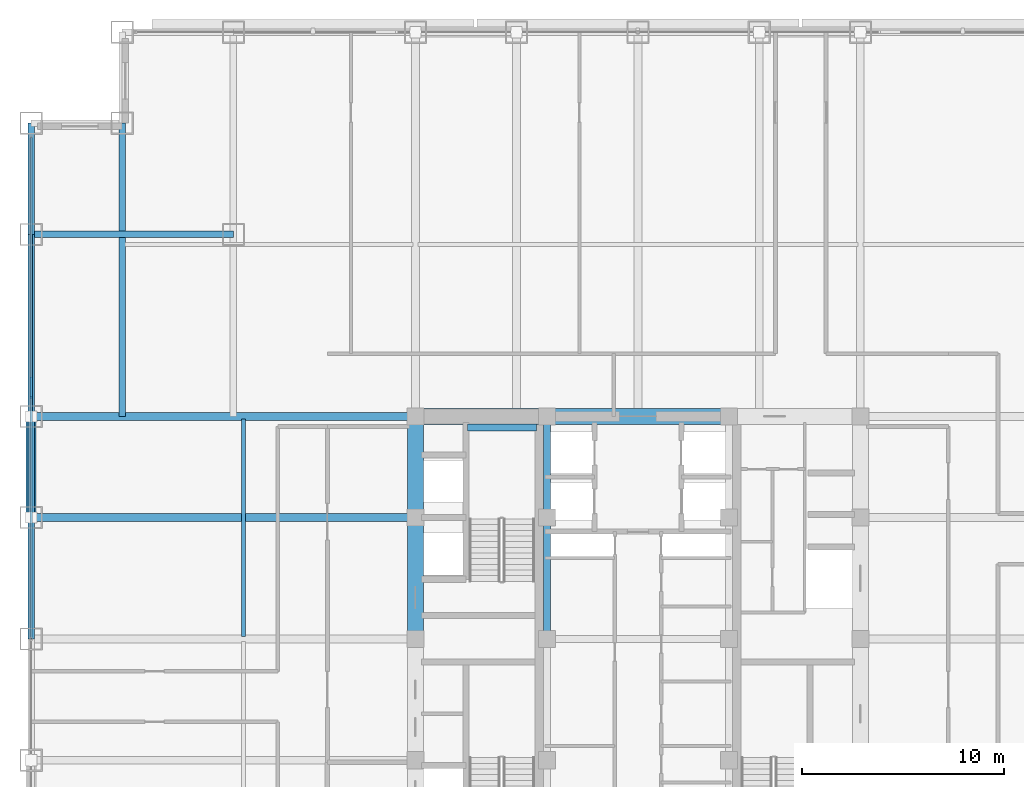
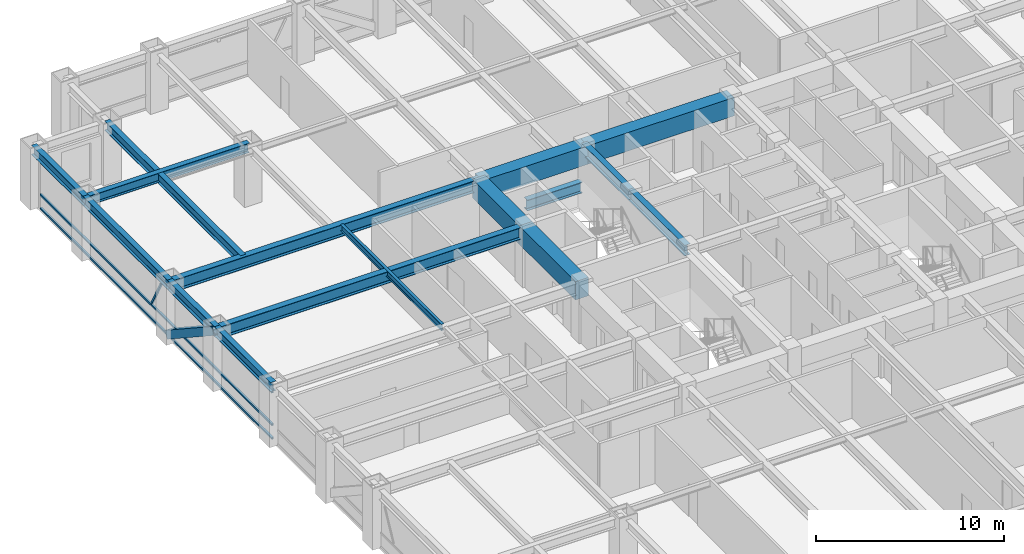
# One storey, part 11 of 28: 16 beams, 5 members, 1 element without a shape of its own.
"""IFC4 building model written with IfcOpenShell, lengths in metres."""

from ifc_helpers import new_model, si_unit, direction, frame, origin, origin_2d, place, context, subcontext, project, spatial, rectangle, hollow_rectangle, i_section, extrude, source, transform, mapped, material, material_profile, profile_set, type_object, element, aggregate, save


model = new_model("IFC4")

# Units and contexts
model_context = context("Model", 3, precision=1e-05, world=origin(), true_north=direction((0.0, 1.0)))
body_context = subcontext(model_context, "Body", "Model", "MODEL_VIEW")
ifc_project = project(units=[si_unit("LENGTHUNIT", "METRE"), si_unit("AREAUNIT", "SQUARE_METRE"), si_unit("VOLUMEUNIT", "CUBIC_METRE"), si_unit("PLANEANGLEUNIT", "RADIAN"), si_unit("MASSUNIT", "GRAM", prefix="KILO")], contexts=[model_context])

# Site, building, storey
site_placement = place(None, origin())
site = spatial("IfcSite", under=ifc_project, at=site_placement, CompositionType="ELEMENT")
building_placement = place(site_placement, origin())
building = spatial("IfcBuilding", under=site, at=building_placement, Name="Khorayat Bourse Tower", CompositionType="ELEMENT")
storey_placement = place(building_placement, frame((0.0, 0.0, 187.10009765625)))
storey = spatial("IfcBuildingStorey", under=building, at=storey_placement, Name="L43", CompositionType="ELEMENT", Elevation=187.10009765625)

# Beams
ifc_material_1 = material(Name="Concrete C72/90", Category="concrete")
ifc_material_profile_1 = material_profile(ifc_material_1, rectangle(XDim=0.800048828125, YDim=1.199951171875, at=origin_2d()), Name="RC 800x1200")
ifc_profile_set_1 = profile_set([ifc_material_profile_1], Name="Concrete C72/90")
beam_type_1 = type_object("IfcBeamType", Name="BM-COUP-1200", PredefinedType="BEAM", material=ifc_profile_set_1)
shared_shape_1 = source(origin(), body_context, "Body", "SweptSolid", [
    extrude(rectangle(XDim=0.800048828125, YDim=1.199951171875, at=origin_2d()), origin(), (0.0, 0.0, 1.0), 5.0),
])
beam_1_placement = place(storey_placement, frame((-11.0, 6.0, 3.179931640625), z_axis=(0.0, 1.0, 0.0), x_axis=(-1.0, 0.0, 0.0)))
element("IfcBeam", 1, at=beam_1_placement, inside=storey, type_object=beam_type_1, Name="L43 BM-COUP-1200 BM-L43-CRX-04", PredefinedType="BEAM", context=body_context, shape_type="MappedRepresentation", body=[
    mapped(shared_shape_1, transform((0.0, 0.0, 0.0), scale=1.0)),
])
shared_shape_2 = source(origin(), body_context, "Body", "SweptSolid", [
    extrude(rectangle(XDim=0.800048828125, YDim=1.199951171875, at=origin_2d()), origin(), (0.0, 0.0, 1.0), 6.0),
])
beam_2_placement = place(storey_placement, frame((-11.0, 0.0, 3.179931640625), z_axis=(0.0, 1.0, 0.0), x_axis=(-1.0, 0.0, 0.0)))
element("IfcBeam", 2, at=beam_2_placement, inside=storey, type_object=beam_type_1, Name="L43 BM-COUP-1200 BM-L43-CRX-03", PredefinedType="BEAM", context=body_context, shape_type="MappedRepresentation", body=[
    mapped(shared_shape_2, transform((0.0, 0.0, 0.0), scale=1.0)),
])
ifc_material_2 = material(Name="Steel ASTM A992 Grade 50", Category="steel")
ifc_material_profile_2 = material_profile(ifc_material_2, i_section(OverallWidth=0.35498046875, OverallDepth=0.695068359375, WebThickness=0.015380859375, FlangeThickness=0.02490234375, FilletRadius=0.01806640625, at=origin_2d()), Name="W690X217")
ifc_profile_set_2 = profile_set([ifc_material_profile_2], Name="Steel ASTM A992 Grade 50")
beam_type_2 = type_object("IfcBeamType", Name="BM-GIRD-690", PredefinedType="BEAM", material=ifc_profile_set_2)
shared_shape_3 = source(origin(), body_context, "Body", "SweptSolid", [
    extrude(i_section(OverallWidth=0.35498046875, OverallDepth=0.695068359375, WebThickness=0.015380859375, FlangeThickness=0.02490234375, FilletRadius=0.01806640625, at=origin_2d()), origin(), (0.0, 0.0, 1.0), 5.0),
])
beam_3_placement = place(storey_placement, frame((-4.5, 6.0, 3.432373046875), z_axis=(0.0, 1.0, 0.0), x_axis=(-1.0, 0.0, 0.0)))
element("IfcBeam", 3, at=beam_3_placement, inside=storey, type_object=beam_type_2, Name="L43 BM-GIRD-690 BM-L43-CRX-08", PredefinedType="BEAM", context=body_context, shape_type="MappedRepresentation", body=[
    mapped(shared_shape_3, transform((0.0, 0.0, 0.0), scale=1.0)),
])
shared_shape_4 = source(origin(), body_context, "Body", "SweptSolid", [
    extrude(i_section(OverallWidth=0.35498046875, OverallDepth=0.695068359375, WebThickness=0.015380859375, FlangeThickness=0.02490234375, FilletRadius=0.01806640625, at=origin_2d()), origin(), (0.0, 0.0, 1.0), 6.0),
])
beam_4_placement = place(storey_placement, frame((-4.5, 0.0, 3.432373046875), z_axis=(0.0, 1.0, 0.0), x_axis=(-1.0, 0.0, 0.0)))
element("IfcBeam", 4, at=beam_4_placement, inside=storey, type_object=beam_type_2, Name="L43 BM-GIRD-690 BM-L43-CRX-07", PredefinedType="BEAM", context=body_context, shape_type="MappedRepresentation", body=[
    mapped(shared_shape_4, transform((0.0, 0.0, 0.0), scale=1.0)),
])
shared_shape_5 = source(origin(), body_context, "Body", "SweptSolid", [
    extrude(rectangle(XDim=0.800048828125, YDim=1.199951171875, at=origin_2d()), origin(), (0.0, 0.0, 1.0), 6.5),
])
beam_5_placement = place(storey_placement, frame((-11.0, 11.0, 3.179931640625), z_axis=(1.0, 0.0, 0.0), x_axis=(0.0, 1.0, 0.0)))
element("IfcBeam", 5, at=beam_5_placement, inside=storey, type_object=beam_type_1, Name="L43 BM-COUP-1200 BM-L43-CRY-20", PredefinedType="BEAM", context=body_context, shape_type="MappedRepresentation", body=[
    mapped(shared_shape_5, transform((0.0, 0.0, 0.0), scale=1.0)),
])
shared_shape_6 = source(origin(), body_context, "Body", "SweptSolid", [
    extrude(rectangle(XDim=0.800048828125, YDim=1.199951171875, at=origin_2d()), origin(), (0.0, 0.0, 1.0), 9.0),
])
beam_6_placement = place(storey_placement, frame((-4.5, 11.0, 3.179931640625), z_axis=(1.0, 0.0, 0.0), x_axis=(0.0, 1.0, 0.0)))
element("IfcBeam", 6, at=beam_6_placement, inside=storey, type_object=beam_type_1, Name="L43 BM-COUP-1200 BM-L43-CRY-21", PredefinedType="BEAM", context=body_context, shape_type="MappedRepresentation", body=[
    mapped(shared_shape_6, transform((0.0, 0.0, 0.0), scale=1.0)),
])
shared_shape_7 = source(origin(), body_context, "Body", "SweptSolid", [
    extrude(i_section(OverallWidth=0.35498046875, OverallDepth=0.695068359375, WebThickness=0.015380859375, FlangeThickness=0.02490234375, FilletRadius=0.01806640625, at=origin_2d()), origin(), (0.0, 0.0, 1.0), 3.39990234375),
])
beam_7_placement = place(storey_placement, frame((-8.419921875, 10.449951171875, 1.452392578125), z_axis=(1.0, 0.0, 0.0), x_axis=(0.0, 1.0, 0.0)))
element("IfcBeam", 7, at=beam_7_placement, inside=storey, type_object=beam_type_2, Name="L43 BM-GIRD-690 BM-L43-ST2L", PredefinedType="BEAM", context=body_context, shape_type="MappedRepresentation", body=[
    mapped(shared_shape_7, transform((0.0, 0.0, 0.0), scale=1.0)),
])
ifc_material_profile_3 = material_profile(ifc_material_2, i_section(OverallWidth=0.381103515625, OverallDepth=0.77294921875, WebThickness=0.0166015625, FlangeThickness=0.027587890625, FilletRadius=0.01806640625, at=origin_2d()), Name="W760X257")
ifc_profile_set_3 = profile_set([ifc_material_profile_3], Name="Steel ASTM A992 Grade 50")
beam_type_3 = type_object("IfcBeamType", Name="BM-GIRD-760", PredefinedType="BEAM", material=ifc_profile_set_3)
shared_shape_8 = source(origin(), body_context, "Body", "SweptSolid", [
    extrude(i_section(OverallWidth=0.381103515625, OverallDepth=0.77294921875, WebThickness=0.0166015625, FlangeThickness=0.027587890625, FilletRadius=0.01806640625, at=origin_2d()), origin(), (0.0, 0.0, 1.0), 19.0),
])
for number, where, z_axis, x_axis, name in (
    (8, (-30.0, 6.0, 3.393310546875), (1.0, 0.0, 0.0), (0.0, 1.0, 0.0), "L43 BM-GIRD-760 BM-L43-RADX-081"),
    (9, (-30.0, 11.0, 3.393310546875), (1.0, 0.0, 0.0), (0.0, 1.0, 0.0), "L43 BM-GIRD-760 BM-L43-RADX-083"),
):
    element("IfcBeam", number, at=place(storey_placement, frame(where, z_axis=z_axis, x_axis=x_axis)), inside=storey, type_object=beam_type_3, Name=name, PredefinedType="BEAM", context=body_context, shape_type="MappedRepresentation", body=[
        mapped(shared_shape_8, transform((0.0, 0.0, 0.0), scale=1.0)),
    ])
ifc_material_profile_4 = material_profile(ifc_material_2, i_section(OverallWidth=0.324951171875, OverallDepth=0.615966796875, WebThickness=0.013916015625, FlangeThickness=0.021484375, FilletRadius=0.01611328125, at=origin_2d()), Name="W610X174")
ifc_profile_set_4 = profile_set([ifc_material_profile_4], Name="Steel ASTM A992 Grade 50")
beam_type_4 = type_object("IfcBeamType", Name="BM-GIRD-610", PredefinedType="BEAM", material=ifc_profile_set_4)
shared_shape_9 = source(origin(), body_context, "Body", "SweptSolid", [
    extrude(i_section(OverallWidth=0.324951171875, OverallDepth=0.615966796875, WebThickness=0.013916015625, FlangeThickness=0.021484375, FilletRadius=0.01611328125, at=origin_2d()), origin(), (0.0, 0.0, 1.0), 14.5),
])
beam_8_placement = place(storey_placement, frame((-25.5, 11.0, 3.471923828125), z_axis=(0.0, 1.0, 0.0), x_axis=(-1.0, 0.0, 0.0)))
element("IfcBeam", 10, at=beam_8_placement, inside=storey, type_object=beam_type_4, Name="L43 BM-GIRD-610 BM-L43-CNRY-089", PredefinedType="BEAM", context=body_context, shape_type="MappedRepresentation", body=[
    mapped(shared_shape_9, transform((0.0, 0.0, 0.0), scale=1.0)),
])
shared_shape_10 = source(origin(), body_context, "Body", "SweptSolid", [
    extrude(i_section(OverallWidth=0.324951171875, OverallDepth=0.615966796875, WebThickness=0.013916015625, FlangeThickness=0.021484375, FilletRadius=0.01611328125, at=origin_2d()), origin(), (0.0, 0.0, 1.0), 10.0),
])
beam_9_placement = place(storey_placement, frame((-30.0, 20.0, 3.471923828125), z_axis=(1.0, 0.0, 0.0), x_axis=(0.0, 1.0, 0.0)))
element("IfcBeam", 11, at=beam_9_placement, inside=storey, type_object=beam_type_4, Name="L43 BM-GIRD-610 BM-L43-CNRX-095", PredefinedType="BEAM", context=body_context, shape_type="MappedRepresentation", body=[
    mapped(shared_shape_10, transform((0.0, 0.0, 0.0), scale=1.0)),
])
ifc_material_profile_5 = material_profile(ifc_material_2, i_section(OverallWidth=0.180908203125, OverallDepth=0.4169921875, WebThickness=0.010986328125, FlangeThickness=0.018310546875, FilletRadius=0.011962890625, at=origin_2d()), Name="W410X85")
ifc_profile_set_5 = profile_set([ifc_material_profile_5], Name="Steel ASTM A992 Grade 50")
beam_type_5 = type_object("IfcBeamType", Name="BM-JOIST-410", PredefinedType="JOIST", material=ifc_profile_set_5)
shared_shape_11 = source(origin(), body_context, "Body", "SweptSolid", [
    extrude(i_section(OverallWidth=0.180908203125, OverallDepth=0.4169921875, WebThickness=0.010986328125, FlangeThickness=0.018310546875, FilletRadius=0.011962890625, at=origin_2d()), origin(), (0.0, 0.0, 1.0), 10.740234375),
])
beam_10_placement = place(storey_placement, frame((-19.5, 0.1298828125, 3.5712890625), z_axis=(0.0, 1.0, 0.0), x_axis=(-1.0, 0.0, 0.0)))
element("IfcBeam", 12, at=beam_10_placement, inside=storey, type_object=beam_type_5, Name="L43 BM-JOIST-410 BM-L43-JSTY-103", PredefinedType="JOIST", context=body_context, shape_type="MappedRepresentation", body=[
    mapped(shared_shape_11, transform((0.0, 0.0, 0.0), scale=1.0)),
])
ifc_material_profile_6 = material_profile(ifc_material_2, i_section(OverallWidth=0.324951171875, OverallDepth=0.615966796875, WebThickness=0.013916015625, FlangeThickness=0.021484375, FilletRadius=0.01611328125, at=origin_2d()), Name="W610X174")
ifc_profile_set_6 = profile_set([ifc_material_profile_6], Name="Steel ASTM A992 Grade 50")
beam_type_6 = type_object("IfcBeamType", Name="BM-SPAN-610", PredefinedType="SPANDREL", material=ifc_profile_set_6)
shared_shape_12 = source(origin(), body_context, "Body", "SweptSolid", [
    extrude(i_section(OverallWidth=0.324951171875, OverallDepth=0.615966796875, WebThickness=0.013916015625, FlangeThickness=0.021484375, FilletRadius=0.01611328125, at=origin_2d()), origin(), (0.0, 0.0, 1.0), 5.5),
])
beam_11_placement = place(storey_placement, frame((-30.0, 20.0, 3.471923828125), z_axis=(0.0, 1.0, 0.0), x_axis=(-1.0, 0.0, 0.0)))
element("IfcBeam", 13, at=beam_11_placement, inside=storey, type_object=beam_type_6, Name="L43 BM-SPAN-610 BM-L43-SPN-054", PredefinedType="SPANDREL", context=body_context, shape_type="MappedRepresentation", body=[
    mapped(shared_shape_12, transform((0.0, 0.0, 0.0), scale=1.0)),
])
shared_shape_13 = source(origin(), body_context, "Body", "SweptSolid", [
    extrude(i_section(OverallWidth=0.324951171875, OverallDepth=0.615966796875, WebThickness=0.013916015625, FlangeThickness=0.021484375, FilletRadius=0.01611328125, at=origin_2d()), origin(), (0.0, 0.0, 1.0), 9.0),
])
beam_12_placement = place(storey_placement, frame((-30.0, 11.0, 3.471923828125), z_axis=(0.0, 1.0, 0.0), x_axis=(-1.0, 0.0, 0.0)))
element("IfcBeam", 14, at=beam_12_placement, inside=storey, type_object=beam_type_6, Name="L43 BM-SPAN-610 BM-L43-SPN-055", PredefinedType="SPANDREL", context=body_context, shape_type="MappedRepresentation", body=[
    mapped(shared_shape_13, transform((0.0, 0.0, 0.0), scale=1.0)),
])
shared_shape_14 = source(origin(), body_context, "Body", "SweptSolid", [
    extrude(i_section(OverallWidth=0.324951171875, OverallDepth=0.615966796875, WebThickness=0.013916015625, FlangeThickness=0.021484375, FilletRadius=0.01611328125, at=origin_2d()), origin(), (0.0, 0.0, 1.0), 5.0),
])
beam_13_placement = place(storey_placement, frame((-30.0, 6.0, 3.471923828125), z_axis=(0.0, 1.0, 0.0), x_axis=(-1.0, 0.0, 0.0)))
element("IfcBeam", 15, at=beam_13_placement, inside=storey, type_object=beam_type_6, Name="L43 BM-SPAN-610 BM-L43-SPN-056", PredefinedType="SPANDREL", context=body_context, shape_type="MappedRepresentation", body=[
    mapped(shared_shape_14, transform((0.0, 0.0, 0.0), scale=1.0)),
])
shared_shape_15 = source(origin(), body_context, "Body", "SweptSolid", [
    extrude(i_section(OverallWidth=0.324951171875, OverallDepth=0.615966796875, WebThickness=0.013916015625, FlangeThickness=0.021484375, FilletRadius=0.01611328125, at=origin_2d()), origin(), (0.0, 0.0, 1.0), 6.0),
])
beam_14_placement = place(storey_placement, frame((-30.0, 0.0, 3.471923828125), z_axis=(0.0, 1.0, 0.0), x_axis=(-1.0, 0.0, 0.0)))
element("IfcBeam", 16, at=beam_14_placement, inside=storey, type_object=beam_type_6, Name="L43 BM-SPAN-610 BM-L43-SPN-057", PredefinedType="SPANDREL", context=body_context, shape_type="MappedRepresentation", body=[
    mapped(shared_shape_15, transform((0.0, 0.0, 0.0), scale=1.0)),
])

# Member
ifc_material_3 = material(Name="Steel EN 10025-4 S460M", Category="steel")
ifc_material_profile_7 = material_profile(ifc_material_3, hollow_rectangle(XDim=0.5, YDim=0.5, WallThickness=0.028076171875, at=origin_2d()), Name="HSS 500x500x28")
ifc_profile_set_7 = profile_set([ifc_material_profile_7], Name="Steel EN 10025-4 S460M")
member_type_1 = type_object("IfcMemberType", Name="MBR-TUBE-500", PredefinedType="BRACE", material=ifc_profile_set_7)
shared_shape_16 = source(origin(), body_context, "Body", "SweptSolid", [
    extrude(hollow_rectangle(XDim=0.5, YDim=0.5, WallThickness=0.028076171875, at=origin_2d()), origin(), (0.0, 0.0, 1.0), 5.979736328125),
])
member_1_placement = place(storey_placement, frame((-30.0, 6.0, 3.52978515625), z_axis=(0.0, 0.836160261256, -0.548485202623), x_axis=(-1.0, 0.0, 0.0)))
element("IfcMember", 17, at=member_1_placement, inside=storey, type_object=member_type_1, Name="L43 Perimeter Tube Brace 06", PredefinedType="BRACE", context=body_context, shape_type="MappedRepresentation", body=[
    mapped(shared_shape_16, transform((0.0, 0.0, 0.0), scale=1.0)),
])

# Curtain wall, members
ifc_material_4 = material(Name="Aluminium EN AW-6063 T6", Category="aluminium")
curtain_wall_type = type_object("IfcCurtainWallType", Name="CW-SYS-03", PredefinedType="NOTDEFINED", material=ifc_material_4)
curtain_wall_placement = place(storey_placement, origin())
curtain_wall = element("IfcCurtainWall", 18, at=curtain_wall_placement, inside=storey, type_object=curtain_wall_type, Name="L43 Curtain Wall CW-L43-W1", PredefinedType="NOTDEFINED")
ifc_material_profile_8 = material_profile(ifc_material_4, hollow_rectangle(XDim=0.1201171875, YDim=0.1201171875, WallThickness=0.0048828125, at=origin_2d()), Name="ALU 120x120x5")
ifc_profile_set_8 = profile_set([ifc_material_profile_8], Name="Aluminium EN AW-6063 T6")
member_type_2 = type_object("IfcMemberType", Name="CWM-DIAG-120", PredefinedType="MULLION", material=ifc_profile_set_8)
shared_shape_17 = source(origin(), body_context, "Body", "SweptSolid", [
    extrude(hollow_rectangle(XDim=0.1201171875, YDim=0.1201171875, WallThickness=0.0048828125, at=origin_2d()), origin(), (0.0, 0.0, 1.0), 2.079345703125),
])
member_2_placement = place(storey_placement, frame((-30.0, 12.904296875, 1.08984375), z_axis=(0.0, -0.465760949701, 0.884910581773), x_axis=(1.0, 0.0, 0.0)))
member_2 = element("IfcMember", 19, at=member_2_placement, type_object=member_type_2, Name="CW-L43-W1 Faceted Diagonal Mullion 2", PredefinedType="MULLION", context=body_context, shape_type="MappedRepresentation", body=[
    mapped(shared_shape_17, transform((0.0, 0.0, 0.0), scale=1.0)),
])
ifc_material_profile_9 = material_profile(ifc_material_4, hollow_rectangle(XDim=0.1201171875, YDim=0.1201171875, WallThickness=0.0048828125, at=origin_2d()), Name="ALU 120x120x5")
ifc_profile_set_9 = profile_set([ifc_material_profile_9], Name="Aluminium EN AW-6063 T6")
member_type_3 = type_object("IfcMemberType", Name="CWT-HORZ-120", PredefinedType="USERDEFINED", material=ifc_profile_set_9)
shared_shape_18 = source(origin(), body_context, "Body", "SweptSolid", [
    extrude(hollow_rectangle(XDim=0.1201171875, YDim=0.1201171875, WallThickness=0.0048828125, at=origin_2d()), origin(), (0.0, 0.0, 1.0), 24.719970703125),
])
member_3_placement = place(storey_placement, frame((-30.0, 0.06005859375, 0.059814453125), z_axis=(0.0, 1.0, 0.0), x_axis=(-1.0, 0.0, 0.0)))
member_3 = element("IfcMember", 20, at=member_3_placement, type_object=member_type_3, Name="CW-L43-W1 Horizontal Transom 2-1", ObjectType="TRANSOM", PredefinedType="USERDEFINED", context=body_context, shape_type="MappedRepresentation", body=[
    mapped(shared_shape_18, transform((0.0, 0.0, 0.0), scale=1.0)),
])
member_4_placement = place(storey_placement, frame((-30.0, 0.06005859375, 0.949951171875), z_axis=(0.0, 1.0, 0.0), x_axis=(-1.0, 0.0, 0.0)))
member_4 = element("IfcMember", 21, at=member_4_placement, type_object=member_type_3, Name="CW-L43-W1 Horizontal Transom 2-2", ObjectType="TRANSOM", PredefinedType="USERDEFINED", context=body_context, shape_type="MappedRepresentation", body=[
    mapped(shared_shape_18, transform((0.0, 0.0, 0.0), scale=1.0)),
])
member_5_placement = place(storey_placement, frame((-30.0, 0.06005859375, 3.06982421875), z_axis=(0.0, 1.0, 0.0), x_axis=(-1.0, 0.0, 0.0)))
member_5 = element("IfcMember", 22, at=member_5_placement, type_object=member_type_3, Name="CW-L43-W1 Horizontal Transom 2-3", ObjectType="TRANSOM", PredefinedType="USERDEFINED", context=body_context, shape_type="MappedRepresentation", body=[
    mapped(shared_shape_18, transform((0.0, 0.0, 0.0), scale=1.0)),
])
aggregate(curtain_wall, [member_3, member_4, member_5, member_2])

save(model, "model.ifc")
